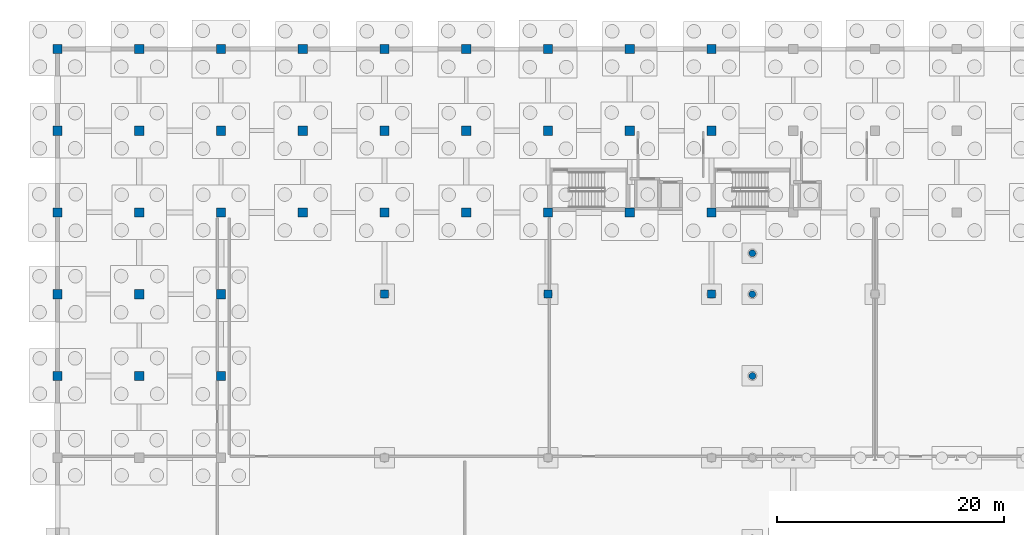
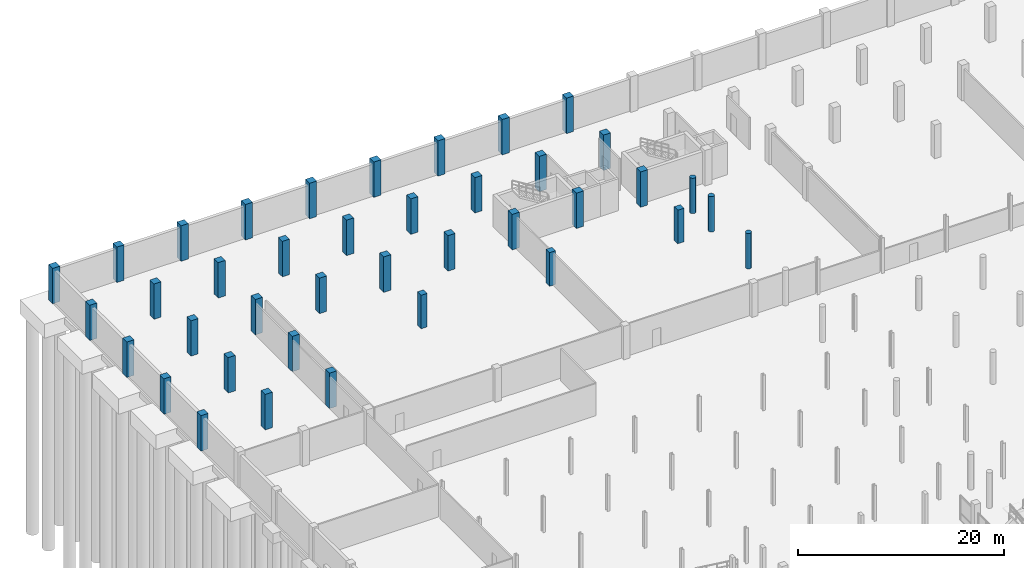
# One storey, part 27 of 56: 39 columns.
"""IFC4 building model written with IfcOpenShell, lengths in metres."""

from ifc_helpers import new_model, si_unit, direction, frame, origin, origin_2d, place, context, subcontext, project, spatial, rectangle, circle, extrude, material, material_profile, profile_set, type_object, element, save


model = new_model("IFC4")

# Units and contexts
model_context = context("Model", 3, precision=1e-05, world=origin(), true_north=direction((0.0, 1.0)))
body_context = subcontext(model_context, "Body", "Model", "MODEL_VIEW")
ifc_project = project(units=[si_unit("LENGTHUNIT", "METRE"), si_unit("AREAUNIT", "SQUARE_METRE"), si_unit("VOLUMEUNIT", "CUBIC_METRE"), si_unit("PLANEANGLEUNIT", "RADIAN"), si_unit("MASSUNIT", "GRAM", prefix="KILO")], contexts=[model_context])

# Site, building, storey
site_placement = place(None, origin())
site = spatial("IfcSite", under=ifc_project, at=site_placement, CompositionType="ELEMENT")
building_placement = place(site_placement, origin())
building = spatial("IfcBuilding", under=site, at=building_placement, Name="Suanplinth Sawtooth Commons", CompositionType="ELEMENT")
storey_placement = place(building_placement, frame((0.0, 0.0, -4.199951171875)))
storey = spatial("IfcBuildingStorey", under=building, at=storey_placement, Name="B1", CompositionType="ELEMENT", Elevation=-4.199951171875)

# Columns
ifc_material = material(Name="Concrete C40/50", Category="concrete")
ifc_material_profile_1 = material_profile(ifc_material, rectangle(XDim=0.800048828125, YDim=0.800048828125, at=origin_2d()), Name="RC-COL 800x800")
ifc_profile_set_1 = profile_set([ifc_material_profile_1], Name="Concrete C40/50")
column_type_1 = type_object("IfcColumnType", Name="C-01", PredefinedType="COLUMN", material=ifc_profile_set_1)
for number, where, z_axis, x_axis, name in (
    (1, (0.0, 93.60009765625, 0.0), (0.0, 0.0, 1.0), (1.0, 0.0, 0.0), "Column B1 1/P"),
    (2, (0.0, 100.800048828125, 0.0), (0.0, 0.0, 1.0), (1.0, 0.0, 0.0), "Column B1 1/Q"),
    (3, (0.0, 108.0, 0.0), (0.0, 0.0, 1.0), (1.0, 0.0, 0.0), "Column B1 1/R"),
    (4, (0.0, 115.199951171875, 0.0), (0.0, 0.0, 1.0), (1.0, 0.0, 0.0), "Column B1 1/S"),
    (5, (0.0, 122.39990234375, 0.0), (0.0, 0.0, 1.0), (1.0, 0.0, 0.0), "Column B1 1/T"),
    (6, (7.199951171875, 93.60009765625, 0.0), (0.0, 0.0, 1.0), (1.0, 0.0, 0.0), "Column B1 2/P"),
    (7, (7.199951171875, 100.800048828125, 0.0), (0.0, 0.0, 1.0), (1.0, 0.0, 0.0), "Column B1 2/Q"),
    (8, (7.199951171875, 108.0, 0.0), (0.0, 0.0, 1.0), (1.0, 0.0, 0.0), "Column B1 2/R"),
    (9, (7.199951171875, 115.199951171875, 0.0), (0.0, 0.0, 1.0), (1.0, 0.0, 0.0), "Column B1 2/S"),
    (10, (7.199951171875, 122.39990234375, 0.0), (0.0, 0.0, 1.0), (1.0, 0.0, 0.0), "Column B1 2/T"),
    (11, (14.39990234375, 93.60009765625, 0.0), (0.0, 0.0, 1.0), (1.0, 0.0, 0.0), "Column B1 3/P"),
    (12, (14.39990234375, 100.800048828125, 0.0), (0.0, 0.0, 1.0), (1.0, 0.0, 0.0), "Column B1 3/Q"),
    (13, (14.39990234375, 108.0, 0.0), (0.0, 0.0, 1.0), (1.0, 0.0, 0.0), "Column B1 3/R"),
    (14, (14.39990234375, 115.199951171875, 0.0), (0.0, 0.0, 1.0), (1.0, 0.0, 0.0), "Column B1 3/S"),
    (15, (14.39990234375, 122.39990234375, 0.0), (0.0, 0.0, 1.0), (1.0, 0.0, 0.0), "Column B1 3/T"),
    (16, (21.60009765625, 108.0, 0.0), (0.0, 0.0, 1.0), (1.0, 0.0, 0.0), "Column B1 4/R"),
    (17, (21.60009765625, 115.199951171875, 0.0), (0.0, 0.0, 1.0), (1.0, 0.0, 0.0), "Column B1 4/S"),
    (18, (21.60009765625, 122.39990234375, 0.0), (0.0, 0.0, 1.0), (1.0, 0.0, 0.0), "Column B1 4/T"),
    (19, (28.800048828125, 108.0, 0.0), (0.0, 0.0, 1.0), (1.0, 0.0, 0.0), "Column B1 5/R"),
    (20, (28.800048828125, 115.199951171875, 0.0), (0.0, 0.0, 1.0), (1.0, 0.0, 0.0), "Column B1 5/S"),
    (21, (28.800048828125, 122.39990234375, 0.0), (0.0, 0.0, 1.0), (1.0, 0.0, 0.0), "Column B1 5/T"),
    (22, (36.0, 108.0, 0.0), (0.0, 0.0, 1.0), (1.0, 0.0, 0.0), "Column B1 6/R"),
    (23, (36.0, 115.199951171875, 0.0), (0.0, 0.0, 1.0), (1.0, 0.0, 0.0), "Column B1 6/S"),
    (24, (36.0, 122.39990234375, 0.0), (0.0, 0.0, 1.0), (1.0, 0.0, 0.0), "Column B1 6/T"),
    (25, (43.199951171875, 108.0, 0.0), (0.0, 0.0, 1.0), (1.0, 0.0, 0.0), "Column B1 7/R"),
    (26, (43.199951171875, 115.199951171875, 0.0), (0.0, 0.0, 1.0), (1.0, 0.0, 0.0), "Column B1 7/S"),
    (27, (43.199951171875, 122.39990234375, 0.0), (0.0, 0.0, 1.0), (1.0, 0.0, 0.0), "Column B1 7/T"),
    (28, (50.39990234375, 108.0, 0.0), (0.0, 0.0, 1.0), (1.0, 0.0, 0.0), "Column B1 8/R"),
    (29, (50.39990234375, 115.199951171875, 0.0), (0.0, 0.0, 1.0), (1.0, 0.0, 0.0), "Column B1 8/S"),
    (30, (50.39990234375, 122.39990234375, 0.0), (0.0, 0.0, 1.0), (1.0, 0.0, 0.0), "Column B1 8/T"),
    (31, (57.60009765625, 108.0, 0.0), (0.0, 0.0, 1.0), (1.0, 0.0, 0.0), "Column B1 9/R"),
    (32, (57.60009765625, 115.199951171875, 0.0), (0.0, 0.0, 1.0), (1.0, 0.0, 0.0), "Column B1 9/S"),
    (33, (57.60009765625, 122.39990234375, 0.0), (0.0, 0.0, 1.0), (1.0, 0.0, 0.0), "Column B1 9/T"),
):
    element("IfcColumn", number, at=place(storey_placement, frame(where, z_axis=z_axis, x_axis=x_axis)), inside=storey, type_object=column_type_1, Name=name, PredefinedType="COLUMN", context=body_context, shape_type="SweptSolid", body=[
        extrude(rectangle(XDim=0.800048828125, YDim=0.800048828125, at=origin_2d()), origin(), (0.0, 0.0, 1.0), 4.199951171875),
    ])
ifc_material_profile_2 = material_profile(ifc_material, rectangle(XDim=0.699951171875, YDim=0.699951171875, at=origin_2d()), Name="RC-COL 700x700")
ifc_profile_set_2 = profile_set([ifc_material_profile_2], Name="Concrete C40/50")
column_type_2 = type_object("IfcColumnType", Name="C-02", PredefinedType="COLUMN", material=ifc_profile_set_2)
for number, where, z_axis, x_axis, name in (
    (34, (28.800048828125, 100.800048828125, 0.0), (0.0, 0.0, 1.0), (1.0, 0.0, 0.0), "Column B1 5/Q"),
    (35, (43.199951171875, 100.800048828125, 0.0), (0.0, 0.0, 1.0), (1.0, 0.0, 0.0), "Column B1 7/Q"),
    (36, (57.60009765625, 100.800048828125, 0.0), (0.0, 0.0, 1.0), (1.0, 0.0, 0.0), "Column B1 9/Q"),
):
    element("IfcColumn", number, at=place(storey_placement, frame(where, z_axis=z_axis, x_axis=x_axis)), inside=storey, type_object=column_type_2, Name=name, PredefinedType="COLUMN", context=body_context, shape_type="SweptSolid", body=[
        extrude(rectangle(XDim=0.699951171875, YDim=0.699951171875, at=origin_2d()), origin(), (0.0, 0.0, 1.0), 3.97998046875),
    ])
ifc_material_profile_3 = material_profile(ifc_material, circle(Radius=0.300048828125, at=origin_2d()), Name="RC-CIRC D600")
ifc_profile_set_3 = profile_set([ifc_material_profile_3], Name="Concrete C40/50")
column_type_3 = type_object("IfcColumnType", Name="C-08", PredefinedType="COLUMN", material=ifc_profile_set_3)
for number, where, z_axis, x_axis, name in (
    (37, (61.199951171875, 93.60009765625, 0.0), (0.0, 0.0, 1.0), (1.0, 0.0, 0.0), "West Breezeway Substructure Pier W10"),
    (38, (61.199951171875, 100.800048828125, 0.0), (0.0, 0.0, 1.0), (1.0, 0.0, 0.0), "West Breezeway Substructure Pier W11"),
    (39, (61.199951171875, 104.39990234375, 0.0), (0.0, 0.0, 1.0), (1.0, 0.0, 0.0), "West Breezeway Substructure Pier W12"),
):
    element("IfcColumn", number, at=place(storey_placement, frame(where, z_axis=z_axis, x_axis=x_axis)), inside=storey, type_object=column_type_3, Name=name, PredefinedType="COLUMN", context=body_context, shape_type="SweptSolid", body=[
        extrude(circle(Radius=0.300048828125, at=origin_2d()), origin(), (0.0, 0.0, 1.0), 4.199951171875),
    ])

save(model, "model.ifc")
